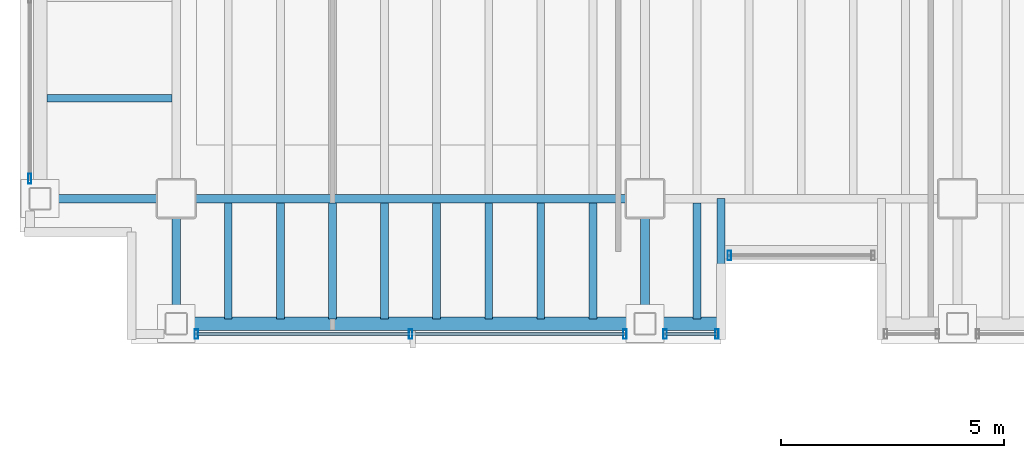
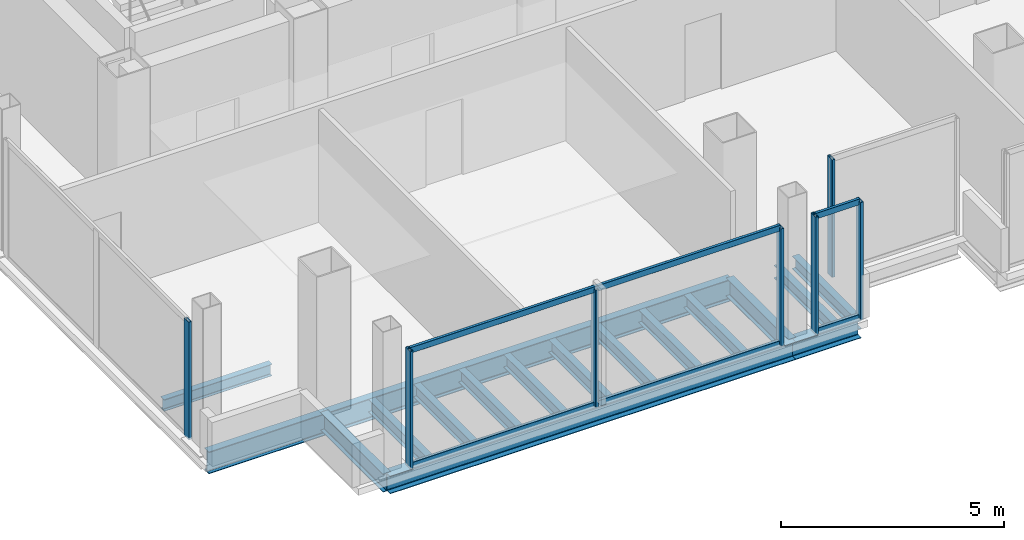
# One storey, part 2 of 16: 17 beams, 11 members, 4 elements without a shape of their own.
"""IFC4 building model written with IfcOpenShell, lengths in metres."""

from ifc_helpers import new_model, si_unit, direction, frame, origin, origin_2d, place, context, subcontext, project, spatial, hollow_rectangle, i_section, extrude, material, material_profile, profile_set, type_object, element, aggregate, save


model = new_model("IFC4")

# Units and contexts
model_context = context("Model", 3, precision=1e-05, world=origin(), true_north=direction((0.0, 1.0)))
body_context = subcontext(model_context, "Body", "Model", "MODEL_VIEW")
ifc_project = project(units=[si_unit("LENGTHUNIT", "METRE"), si_unit("AREAUNIT", "SQUARE_METRE"), si_unit("VOLUMEUNIT", "CUBIC_METRE"), si_unit("PLANEANGLEUNIT", "RADIAN"), si_unit("MASSUNIT", "GRAM", prefix="KILO")], contexts=[model_context])

# Site, building, storey
site_placement = place(None, origin())
site = spatial("IfcSite", under=ifc_project, at=site_placement, CompositionType="ELEMENT")
building_placement = place(site_placement, origin())
building = spatial("IfcBuilding", under=site, at=building_placement, Name="Noeulbin Bourse Tower", CompositionType="ELEMENT")
storey_placement = place(building_placement, frame((0.0, 0.0, 181.199951171875)))
storey = spatial("IfcBuildingStorey", under=building, at=storey_placement, Name="L45", CompositionType="ELEMENT", Elevation=181.199951171875)

# Beams
ifc_material_1 = material(Name="Steel S355", Category="steel")
ifc_material_profile_1 = material_profile(ifc_material_1, i_section(OverallWidth=0.199951171875, OverallDepth=0.5, WebThickness=0.010009765625, FlangeThickness=0.01611328125, FilletRadius=0.02001953125, at=origin_2d()), Name="H-500x200x10x16", Category="LoadBearing")
ifc_profile_set_1 = profile_set([ifc_material_profile_1], Name="Steel S355")
beam_type_1 = type_object("IfcBeamType", Name="BM-GRD-500", PredefinedType="USERDEFINED", material=ifc_profile_set_1)
for number, where, z_axis, x_axis, name in (
    (1, (13.5, 17.199951171875, -0.429931640625), (0.0, 1.0, 0.0), (-1.0, 0.0, 0.0), "Tower Primary Girder NS L45-1.1"),
    (2, (24.0, 17.199951171875, -0.429931640625), (0.0, 1.0, 0.0), (-1.0, 0.0, 0.0), "Tower Primary Girder NS L45-2.1"),
):
    element("IfcBeam", number, at=place(storey_placement, frame(where, z_axis=z_axis, x_axis=x_axis)), inside=storey, type_object=beam_type_1, Name=name, ObjectType="GIRDER", PredefinedType="USERDEFINED", context=body_context, shape_type="SweptSolid", body=[
        extrude(i_section(OverallWidth=0.199951171875, OverallDepth=0.5, WebThickness=0.010009765625, FlangeThickness=0.01611328125, FilletRadius=0.02001953125, at=origin_2d()), origin(), (0.0, 0.0, 1.0), 2.800048828125),
    ])
ifc_material_profile_2 = material_profile(ifc_material_1, i_section(OverallWidth=0.199951171875, OverallDepth=0.60009765625, WebThickness=0.010986328125, FlangeThickness=0.01708984375, FilletRadius=0.02197265625, at=origin_2d()), Name="H-600x200x11x17", Category="LoadBearing")
ifc_profile_set_2 = profile_set([ifc_material_profile_2], Name="Steel S355")
beam_type_2 = type_object("IfcBeamType", Name="BM-GRD-600", PredefinedType="USERDEFINED", material=ifc_profile_set_2)
beam_1_placement = place(storey_placement, frame((10.449951171875, 20.0, -0.47998046875), z_axis=(1.0, 0.0, 0.0), x_axis=(0.0, 1.0, 0.0)))
element("IfcBeam", 3, at=beam_1_placement, inside=storey, type_object=beam_type_2, Name="Tower Primary Girder EW L45-1.1", ObjectType="GIRDER", PredefinedType="USERDEFINED", context=body_context, shape_type="SweptSolid", body=[
    extrude(i_section(OverallWidth=0.199951171875, OverallDepth=0.60009765625, WebThickness=0.010986328125, FlangeThickness=0.01708984375, FilletRadius=0.02197265625, at=origin_2d()), origin(), (0.0, 0.0, 1.0), 3.050048828125),
])
beam_2_placement = place(storey_placement, frame((13.5, 20.0, -0.47998046875), z_axis=(1.0, 0.0, 0.0), x_axis=(0.0, 1.0, 0.0)))
element("IfcBeam", 4, at=beam_2_placement, inside=storey, type_object=beam_type_2, Name="Tower Primary Girder EW L45-1.2", ObjectType="GIRDER", PredefinedType="USERDEFINED", context=body_context, shape_type="SweptSolid", body=[
    extrude(i_section(OverallWidth=0.199951171875, OverallDepth=0.60009765625, WebThickness=0.010986328125, FlangeThickness=0.01708984375, FilletRadius=0.02197265625, at=origin_2d()), origin(), (0.0, 0.0, 1.0), 10.5),
])
ifc_material_profile_3 = material_profile(ifc_material_1, i_section(OverallWidth=0.159912109375, OverallDepth=0.320068359375, WebThickness=0.006591796875, FlangeThickness=0.010009765625, FilletRadius=0.012939453125, at=origin_2d()), Name="H-320x160x6.5x10", Category="LoadBearing")
ifc_profile_set_3 = profile_set([ifc_material_profile_3], Name="Steel S355")
beam_type_3 = type_object("IfcBeamType", Name="BM-JST-320", PredefinedType="JOIST", material=ifc_profile_set_3)
beam_3_placement = place(storey_placement, frame((10.60009765625, 22.25, -0.33984375), z_axis=(1.0, 0.0, 0.0), x_axis=(0.0, 1.0, 0.0)))
element("IfcBeam", 5, at=beam_3_placement, inside=storey, type_object=beam_type_3, Name="Wing Composite Joist L45-W67", PredefinedType="JOIST", context=body_context, shape_type="SweptSolid", body=[
    extrude(i_section(OverallWidth=0.159912109375, OverallDepth=0.320068359375, WebThickness=0.006591796875, FlangeThickness=0.010009765625, FilletRadius=0.012939453125, at=origin_2d()), origin(), (0.0, 0.0, 1.0), 2.7998046875),
])
ifc_material_profile_4 = material_profile(ifc_material_1, i_section(OverallWidth=0.175048828125, OverallDepth=0.35009765625, WebThickness=0.007080078125, FlangeThickness=0.010986328125, FilletRadius=0.013916015625, at=origin_2d()), Name="H-350x175x7x11", Category="LoadBearing")
ifc_profile_set_4 = profile_set([ifc_material_profile_4], Name="Steel S355")
beam_type_4 = type_object("IfcBeamType", Name="BM-JST-350", PredefinedType="JOIST", material=ifc_profile_set_4)
beam_4_placement = place(storey_placement, frame((25.699951171875, 17.199951171875, -0.35498046875), z_axis=(0.0, 1.0, 0.0), x_axis=(-1.0, 0.0, 0.0)))
element("IfcBeam", 6, at=beam_4_placement, inside=storey, type_object=beam_type_4, Name="BM-L45-SRT-W", PredefinedType="JOIST", context=body_context, shape_type="SweptSolid", body=[
    extrude(i_section(OverallWidth=0.175048828125, OverallDepth=0.35009765625, WebThickness=0.007080078125, FlangeThickness=0.010986328125, FilletRadius=0.013916015625, at=origin_2d()), origin(), (0.0, 0.0, 1.0), 2.800048828125),
])
for number, where, z_axis, x_axis, name in (
    (7, (14.666748046875, 17.300048828125, -0.35498046875), (0.0, 1.0, 0.0), (-1.0, 0.0, 0.0), "Tower Composite Joist L45-01"),
    (8, (15.833251953125, 17.300048828125, -0.35498046875), (0.0, 1.0, 0.0), (-1.0, 0.0, 0.0), "Tower Composite Joist L45-04"),
    (9, (17.0, 17.300048828125, -0.35498046875), (0.0, 1.0, 0.0), (-1.0, 0.0, 0.0), "Tower Composite Joist L45-07"),
    (10, (18.166748046875, 17.300048828125, -0.35498046875), (0.0, 1.0, 0.0), (-1.0, 0.0, 0.0), "Tower Composite Joist L45-10"),
    (11, (19.333251953125, 17.300048828125, -0.35498046875), (0.0, 1.0, 0.0), (-1.0, 0.0, 0.0), "Tower Composite Joist L45-13"),
    (12, (20.5, 17.300048828125, -0.35498046875), (0.0, 1.0, 0.0), (-1.0, 0.0, 0.0), "Tower Composite Joist L45-16"),
    (13, (21.666748046875, 17.300048828125, -0.35498046875), (0.0, 1.0, 0.0), (-1.0, 0.0, 0.0), "Tower Composite Joist L45-19"),
    (14, (22.833251953125, 17.300048828125, -0.35498046875), (0.0, 1.0, 0.0), (-1.0, 0.0, 0.0), "Tower Composite Joist L45-22"),
    (15, (25.166748046875, 17.300048828125, -0.35498046875), (0.0, 1.0, 0.0), (-1.0, 0.0, 0.0), "Tower Composite Joist L45-25"),
):
    element("IfcBeam", number, at=place(storey_placement, frame(where, z_axis=z_axis, x_axis=x_axis)), inside=storey, type_object=beam_type_4, Name=name, PredefinedType="JOIST", context=body_context, shape_type="SweptSolid", body=[
        extrude(i_section(OverallWidth=0.175048828125, OverallDepth=0.35009765625, WebThickness=0.007080078125, FlangeThickness=0.010986328125, FilletRadius=0.013916015625, at=origin_2d()), origin(), (0.0, 0.0, 1.0), 2.599853515625),
    ])
ifc_material_profile_5 = material_profile(ifc_material_1, i_section(OverallWidth=0.300048828125, OverallDepth=0.488037109375, WebThickness=0.010986328125, FlangeThickness=0.01806640625, FilletRadius=0.02197265625, at=origin_2d()), Name="H-488x300x11x18", Category="LoadBearing")
ifc_profile_set_5 = profile_set([ifc_material_profile_5], Name="Steel S355")
beam_type_5 = type_object("IfcBeamType", Name="BM-SPN-488", PredefinedType="SPANDREL", material=ifc_profile_set_5)
beam_5_placement = place(storey_placement, frame((13.5, 17.199951171875, -0.424072265625), z_axis=(1.0, 0.0, 0.0), x_axis=(0.0, 1.0, 0.0)))
element("IfcBeam", 16, at=beam_5_placement, inside=storey, type_object=beam_type_5, Name="South Spandrel L45-1", PredefinedType="SPANDREL", context=body_context, shape_type="SweptSolid", body=[
    extrude(i_section(OverallWidth=0.300048828125, OverallDepth=0.488037109375, WebThickness=0.010986328125, FlangeThickness=0.01806640625, FilletRadius=0.02197265625, at=origin_2d()), origin(), (0.0, 0.0, 1.0), 10.5),
])
beam_6_placement = place(storey_placement, frame((24.0, 17.199951171875, -0.424072265625), z_axis=(1.0, 0.0, 0.0), x_axis=(0.0, 1.0, 0.0)))
element("IfcBeam", 17, at=beam_6_placement, inside=storey, type_object=beam_type_5, Name="South Spandrel L45-2A", PredefinedType="SPANDREL", context=body_context, shape_type="SweptSolid", body=[
    extrude(i_section(OverallWidth=0.300048828125, OverallDepth=0.488037109375, WebThickness=0.010986328125, FlangeThickness=0.01806640625, FilletRadius=0.02197265625, at=origin_2d()), origin(), (0.0, 0.0, 1.0), 1.699951171875),
])

# Curtain wall, member
ifc_material_2 = material(Name="Dark Tinted Triple Glazing", Category="glass")
curtain_wall_type = type_object("IfcCurtainWallType", Name="CW-SYS-3", PredefinedType="NOTDEFINED", material=ifc_material_2)
curtain_wall_1_placement = place(storey_placement, origin())
curtain_wall_1 = element("IfcCurtainWall", 18, at=curtain_wall_1_placement, inside=storey, type_object=curtain_wall_type, Name="Unitised Curtain Wall CW-L45-SREC", PredefinedType="NOTDEFINED")
ifc_material_3 = material(Name="Anodised Aluminium 6063-T6", Category="aluminium")
ifc_material_profile_6 = material_profile(ifc_material_3, hollow_rectangle(XDim=0.074951171875, YDim=0.219970703125, WallThickness=0.0048828125, InnerFilletRadius=0.00244140625, OuterFilletRadius=0.0048828125, at=origin_2d()), Name="ALU-MULL-75x220x5", Category="LoadBearing")
ifc_profile_set_6 = profile_set([ifc_material_profile_6], Name="Anodised Aluminium 6063-T6")
member_type_1 = type_object("IfcMemberType", Name="CW-SYS-3-MUL", PredefinedType="MULLION", material=ifc_profile_set_6)
member_1_placement = place(storey_placement, frame((25.889892578125, 18.72998046875, -0.02001953125), z_axis=(0.0, 0.0, 1.0), x_axis=(1.0, 0.0, 0.0)))
member_1 = element("IfcMember", 19, at=member_1_placement, type_object=member_type_1, Name="Curtain Wall Mullion CW-L45-SREC-M00", PredefinedType="MULLION", context=body_context, shape_type="SweptSolid", body=[
    extrude(hollow_rectangle(XDim=0.074951171875, YDim=0.219970703125, WallThickness=0.0048828125, InnerFilletRadius=0.00244140625, OuterFilletRadius=0.0048828125, at=origin_2d()), origin(), (0.0, 0.0, 1.0), 3.219970703125),
])
aggregate(curtain_wall_1, [member_1])

# Curtain wall, members
curtain_wall_2_placement = place(storey_placement, origin())
curtain_wall_2 = element("IfcCurtainWall", 20, at=curtain_wall_2_placement, inside=storey, type_object=curtain_wall_type, Name="Unitised Curtain Wall CW-L45-S1-S1", PredefinedType="NOTDEFINED")
member_2_placement = place(storey_placement, frame((13.949951171875, 16.969970703125, -0.02001953125), z_axis=(0.0, 0.0, 1.0), x_axis=(1.0, 0.0, 0.0)))
member_2 = element("IfcMember", 21, at=member_2_placement, type_object=member_type_1, Name="Curtain Wall Mullion CW-L45-S1-S1-M00", PredefinedType="MULLION", context=body_context, shape_type="SweptSolid", body=[
    extrude(hollow_rectangle(XDim=0.074951171875, YDim=0.219970703125, WallThickness=0.0048828125, InnerFilletRadius=0.00244140625, OuterFilletRadius=0.0048828125, at=origin_2d()), origin(), (0.0, 0.0, 1.0), 3.219970703125),
])
member_3_placement = place(storey_placement, frame((18.75, 16.969970703125, -0.02001953125), z_axis=(0.0, 0.0, 1.0), x_axis=(1.0, 0.0, 0.0)))
member_3 = element("IfcMember", 22, at=member_3_placement, type_object=member_type_1, Name="Curtain Wall Mullion CW-L45-S1-S1-M01", PredefinedType="MULLION", context=body_context, shape_type="SweptSolid", body=[
    extrude(hollow_rectangle(XDim=0.074951171875, YDim=0.219970703125, WallThickness=0.0048828125, InnerFilletRadius=0.00244140625, OuterFilletRadius=0.0048828125, at=origin_2d()), origin(), (0.0, 0.0, 1.0), 3.219970703125),
])
member_4_placement = place(storey_placement, frame((23.550048828125, 16.969970703125, -0.02001953125), z_axis=(0.0, 0.0, 1.0), x_axis=(1.0, 0.0, 0.0)))
member_4 = element("IfcMember", 23, at=member_4_placement, type_object=member_type_1, Name="Curtain Wall Mullion CW-L45-S1-S1-M02", PredefinedType="MULLION", context=body_context, shape_type="SweptSolid", body=[
    extrude(hollow_rectangle(XDim=0.074951171875, YDim=0.219970703125, WallThickness=0.0048828125, InnerFilletRadius=0.00244140625, OuterFilletRadius=0.0048828125, at=origin_2d()), origin(), (0.0, 0.0, 1.0), 3.219970703125),
])

curtain_wall_3_placement = place(storey_placement, origin())
curtain_wall_3 = element("IfcCurtainWall", 24, at=curtain_wall_3_placement, inside=storey, type_object=curtain_wall_type, Name="Unitised Curtain Wall CW-L45-S1-S2", PredefinedType="NOTDEFINED")
member_5_placement = place(storey_placement, frame((24.449951171875, 16.969970703125, -0.02001953125), z_axis=(0.0, 0.0, 1.0), x_axis=(1.0, 0.0, 0.0)))
member_5 = element("IfcMember", 25, at=member_5_placement, type_object=member_type_1, Name="Curtain Wall Mullion CW-L45-S1-S2-M00", PredefinedType="MULLION", context=body_context, shape_type="SweptSolid", body=[
    extrude(hollow_rectangle(XDim=0.074951171875, YDim=0.219970703125, WallThickness=0.0048828125, InnerFilletRadius=0.00244140625, OuterFilletRadius=0.0048828125, at=origin_2d()), origin(), (0.0, 0.0, 1.0), 3.219970703125),
])
member_6_placement = place(storey_placement, frame((25.610107421875, 16.969970703125, -0.02001953125), z_axis=(0.0, 0.0, 1.0), x_axis=(1.0, 0.0, 0.0)))
member_6 = element("IfcMember", 26, at=member_6_placement, type_object=member_type_1, Name="Curtain Wall Mullion CW-L45-S1-S2-M01", PredefinedType="MULLION", context=body_context, shape_type="SweptSolid", body=[
    extrude(hollow_rectangle(XDim=0.074951171875, YDim=0.219970703125, WallThickness=0.0048828125, InnerFilletRadius=0.00244140625, OuterFilletRadius=0.0048828125, at=origin_2d()), origin(), (0.0, 0.0, 1.0), 3.219970703125),
])

# Curtain wall, member
curtain_wall_4_placement = place(storey_placement, origin())
curtain_wall_4 = element("IfcCurtainWall", 27, at=curtain_wall_4_placement, inside=storey, type_object=curtain_wall_type, Name="Unitised Curtain Wall CW-L45-W-S1", PredefinedType="NOTDEFINED")
member_7_placement = place(storey_placement, frame((10.219970703125, 20.449951171875, -0.02001953125), z_axis=(0.0, 0.0, 1.0), x_axis=(1.0, 0.0, 0.0)))
member_7 = element("IfcMember", 28, at=member_7_placement, type_object=member_type_1, Name="Curtain Wall Mullion CW-L45-W-S1-M00", PredefinedType="MULLION", context=body_context, shape_type="SweptSolid", body=[
    extrude(hollow_rectangle(XDim=0.074951171875, YDim=0.219970703125, WallThickness=0.0048828125, InnerFilletRadius=0.00244140625, OuterFilletRadius=0.0048828125, at=origin_2d()), origin(), (0.0, 0.0, 1.0), 3.219970703125),
])
aggregate(curtain_wall_4, [member_7])

# Member
ifc_material_profile_7 = material_profile(ifc_material_3, hollow_rectangle(XDim=0.074951171875, YDim=0.159912109375, WallThickness=0.0048828125, InnerFilletRadius=0.00244140625, OuterFilletRadius=0.0048828125, at=origin_2d()), Name="ALU-TRAN-75x160x5", Category="LoadBearing")
ifc_profile_set_7 = profile_set([ifc_material_profile_7], Name="Anodised Aluminium 6063-T6")
member_type_2 = type_object("IfcMemberType", Name="CW-SYS-3-TRN", PredefinedType="USERDEFINED", material=ifc_profile_set_7)
member_8_placement = place(storey_placement, frame((13.9599609375, 16.969970703125, 0.010009765625), z_axis=(1.0, 0.0, 0.0), x_axis=(0.0, 1.0, 0.0)))
member_8 = element("IfcMember", 29, at=member_8_placement, type_object=member_type_2, Name="Curtain Wall Transom CW-L45-S1-S1-T00", ObjectType="TRANSOM", PredefinedType="USERDEFINED", context=body_context, shape_type="SweptSolid", body=[
    extrude(hollow_rectangle(XDim=0.074951171875, YDim=0.159912109375, WallThickness=0.0048828125, InnerFilletRadius=0.00244140625, OuterFilletRadius=0.0048828125, at=origin_2d()), origin(), (0.0, 0.0, 1.0), 9.580078125),
])

member_9_placement = place(storey_placement, frame((13.9599609375, 16.969970703125, 3.170166015625), z_axis=(1.0, 0.0, 0.0), x_axis=(0.0, 1.0, 0.0)))
member_9 = element("IfcMember", 30, at=member_9_placement, type_object=member_type_2, Name="Curtain Wall Transom CW-L45-S1-S1-T01", ObjectType="TRANSOM", PredefinedType="USERDEFINED", context=body_context, shape_type="SweptSolid", body=[
    extrude(hollow_rectangle(XDim=0.074951171875, YDim=0.159912109375, WallThickness=0.0048828125, InnerFilletRadius=0.00244140625, OuterFilletRadius=0.0048828125, at=origin_2d()), origin(), (0.0, 0.0, 1.0), 9.580078125),
])

aggregate(curtain_wall_2, [member_2, member_3, member_4, member_8, member_9])

member_10_placement = place(storey_placement, frame((24.4599609375, 16.969970703125, 0.010009765625), z_axis=(1.0, 0.0, 0.0), x_axis=(0.0, 1.0, 0.0)))
member_10 = element("IfcMember", 31, at=member_10_placement, type_object=member_type_2, Name="Curtain Wall Transom CW-L45-S1-S2-T00", ObjectType="TRANSOM", PredefinedType="USERDEFINED", context=body_context, shape_type="SweptSolid", body=[
    extrude(hollow_rectangle(XDim=0.074951171875, YDim=0.159912109375, WallThickness=0.0048828125, InnerFilletRadius=0.00244140625, OuterFilletRadius=0.0048828125, at=origin_2d()), origin(), (0.0, 0.0, 1.0), 1.14013671875),
])

member_11_placement = place(storey_placement, frame((24.4599609375, 16.969970703125, 3.170166015625), z_axis=(1.0, 0.0, 0.0), x_axis=(0.0, 1.0, 0.0)))
member_11 = element("IfcMember", 32, at=member_11_placement, type_object=member_type_2, Name="Curtain Wall Transom CW-L45-S1-S2-T01", ObjectType="TRANSOM", PredefinedType="USERDEFINED", context=body_context, shape_type="SweptSolid", body=[
    extrude(hollow_rectangle(XDim=0.074951171875, YDim=0.159912109375, WallThickness=0.0048828125, InnerFilletRadius=0.00244140625, OuterFilletRadius=0.0048828125, at=origin_2d()), origin(), (0.0, 0.0, 1.0), 1.14013671875),
])

aggregate(curtain_wall_3, [member_5, member_6, member_10, member_11])

save(model, "model.ifc")
